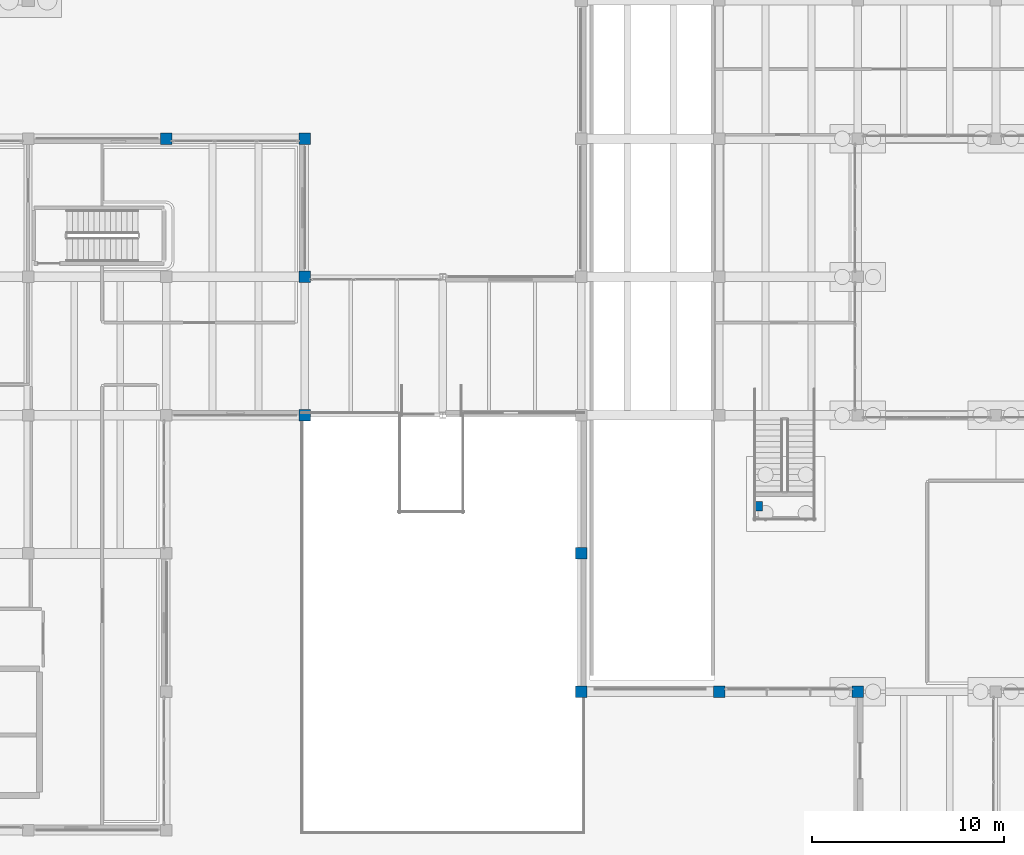
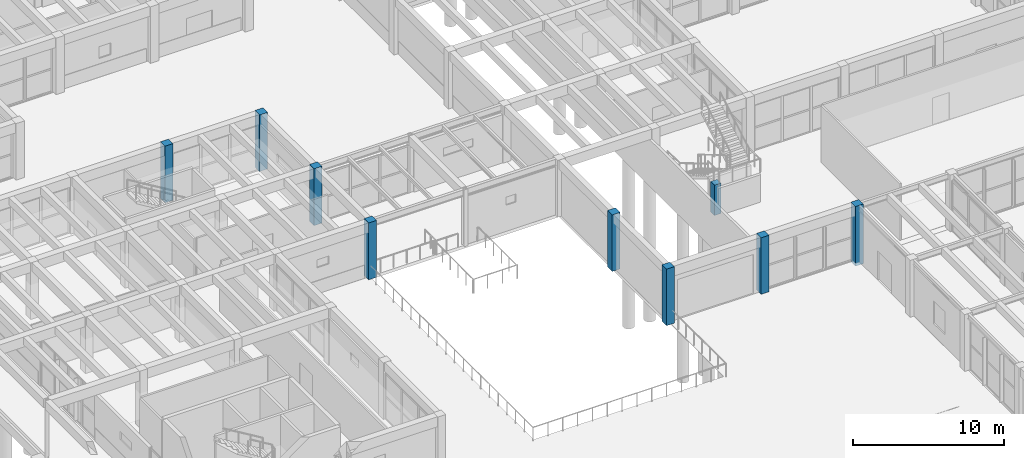
# One storey, part 9 of 155: 9 columns.
"""IFC4 building model written with IfcOpenShell, lengths in metres."""

import ifcopenshell
import ifcopenshell.guid

model = None  # the IFC model being written
_history = None  # IfcOwnerHistory: only IFC2X3 demands one
_inside = {}  # id of a spatial element -> (the spatial element, [elements in it])
_under = {}  # id of a project, library or spatial element -> (it, [spatial elements below it])
_declared = {}  # id of a project -> (the project, [libraries it declares])
_typed = {}  # id of a type object -> (the type object, [elements of that type])
_made_of = {}  # id of a material, layer set ... -> (it, [elements and type objects made of it])


def new_model(schema):
    """Start an empty IFC model of exactly this schema.

    Asked for "IFC4X3", IfcOpenShell would pick the latest addendum, in which some entities
    have other attributes; the version numbers below select the first issue.
    IFC2X3 requires an IfcOwnerHistory on every rooted entity: one is made here for all.
    """
    global model, _history
    if schema == "IFC4X3":
        model = ifcopenshell.file(schema_version=(4, 3, 0, 0))
    else:
        model = ifcopenshell.file(schema=schema)
    _inside.clear()
    _under.clear()
    _declared.clear()
    _typed.clear()
    _made_of.clear()
    _history = None
    if model.schema == "IFC2X3":
        org = make("IfcOrganization", Name="unknown")
        user = make(
            "IfcPersonAndOrganization",
            ThePerson=make("IfcPerson", FamilyName="unknown"),
            TheOrganization=org,
        )
        app = make(
            "IfcApplication",
            ApplicationDeveloper=org,
            Version="unknown",
            ApplicationFullName="unknown",
            ApplicationIdentifier="unknown",
        )
        _history = make(
            "IfcOwnerHistory",
            OwningUser=user,
            OwningApplication=app,
            ChangeAction="ADDED",
            CreationDate=0,
        )
    return model


def make(cls, **values):
    """One entity of the class cls with the attributes given. An attribute that is None is left unset."""
    return model.create_entity(
        cls, **{name: value for name, value in values.items() if value is not None}
    )


def rooted(cls, **values):
    """An entity with a GlobalId (a new one), such as an element, a storey or a relation."""
    return make(cls, GlobalId=ifcopenshell.guid.new(), OwnerHistory=_history, **values)


def si_unit(unit_type, name, prefix=None):
    """IfcSIUnit, for example si_unit("LENGTHUNIT", "METRE", prefix="MILLI")."""
    return make("IfcSIUnit", UnitType=unit_type, Prefix=prefix, Name=name)


def assignment(units):
    """IfcUnitAssignment: the units of a project."""
    return None if units is None else make("IfcUnitAssignment", Units=units)


def point(xyz):
    """IfcCartesianPoint."""
    return None if xyz is None else make("IfcCartesianPoint", Coordinates=xyz)


def direction(xyz):
    """IfcDirection."""
    return None if xyz is None else make("IfcDirection", DirectionRatios=xyz)


def frame(location, z_axis=None, x_axis=None):
    """IfcAxis2Placement3D, a coordinate frame: its origin and axes. An axis left out is left unset."""
    return make(
        "IfcAxis2Placement3D",
        Location=point(location),
        Axis=direction(z_axis),
        RefDirection=direction(x_axis),
    )


def frame_2d(location, x_axis=None):
    """IfcAxis2Placement2D, a coordinate frame in the plane: its origin and x axis."""
    return make(
        "IfcAxis2Placement2D", Location=point(location), RefDirection=direction(x_axis)
    )


def origin():
    """The frame at (0, 0, 0) with its axes left unset."""
    return frame((0.0, 0.0, 0.0))


def origin_2d():
    """The frame at (0, 0) in the plane with its x axis left unset."""
    return frame_2d((0.0, 0.0))


def place(relative_to, where):
    """IfcLocalPlacement: puts the frame where relative to a parent placement (None: the world)."""
    return make(
        "IfcLocalPlacement", PlacementRelTo=relative_to, RelativePlacement=where
    )


def context(
    kind, dimensions, precision=None, world=None, true_north=None, identifier=None
):
    """IfcGeometricRepresentationContext, for example the 3D "Model" context."""
    return make(
        "IfcGeometricRepresentationContext",
        ContextIdentifier=identifier,
        ContextType=kind,
        CoordinateSpaceDimension=dimensions,
        Precision=precision,
        WorldCoordinateSystem=world,
        TrueNorth=true_north,
    )


def subcontext(parent, identifier, kind, view, scale=None):
    """IfcGeometricRepresentationSubContext, for example "Body" below "Model"."""
    return make(
        "IfcGeometricRepresentationSubContext",
        ContextIdentifier=identifier,
        ContextType=kind,
        ParentContext=parent,
        TargetScale=scale,
        TargetView=view,
    )


def project(units=None, contexts=None):
    """IfcProject with its units and contexts."""
    return rooted(
        "IfcProject",
        Name="project",
        RepresentationContexts=contexts,
        UnitsInContext=assignment(units),
    )


def spatial(cls, under=None, at=None, **own):
    """A site, building, storey or space (cls), placed at a placement, below another one or the project."""
    s = rooted(cls, ObjectPlacement=at, **own)
    if under is not None:
        _under.setdefault(under.id(), (under, []))[1].append(s)
    return s


def profile(cls, at=None, kind="AREA", **sizes):
    """A parametric profile (cls). Its sizes go by their IFC names, for example OverallWidth=200.0."""
    return make(cls, ProfileType=kind, Position=at, **sizes)


def rectangle(**sizes):
    """IfcRectangleProfileDef."""
    return profile("IfcRectangleProfileDef", **sizes)


def extrude(swept, where, along, depth):
    """IfcExtrudedAreaSolid: the profile swept, set in the frame where, extruded along a direction by depth."""
    return make(
        "IfcExtrudedAreaSolid",
        SweptArea=swept,
        Position=where,
        ExtrudedDirection=direction(along),
        Depth=depth,
    )


def shape(context_of_items, identifier, shape_type, items):
    """IfcShapeRepresentation: the items that make up one representation, for example the "Body"."""
    return make(
        "IfcShapeRepresentation",
        ContextOfItems=context_of_items,
        RepresentationIdentifier=identifier,
        RepresentationType=shape_type,
        Items=items,
    )


def material(Name=None, Category=None):
    """IfcMaterial."""
    return make("IfcMaterial", Name=Name, Category=Category)


def material_profile(
    of_material, cross_section, Name=None, Category=None, Priority=None
):
    """IfcMaterialProfile: a cross section and its material."""
    return make(
        "IfcMaterialProfile",
        Name=Name,
        Material=of_material,
        Profile=cross_section,
        Priority=Priority,
        Category=Category,
    )


def profile_set(profiles, Name=None, composite=None):
    """IfcMaterialProfileSet."""
    return make(
        "IfcMaterialProfileSet",
        Name=Name,
        MaterialProfiles=profiles,
        CompositeProfile=composite,
    )


def made_of(thing, what):
    """Note that an element or type object is made of a material, layer set ...; save() writes the relation."""
    if what is not None:
        _made_of.setdefault(what.id(), (what, []))[1].append(thing)
    return thing


def type_object(cls, material=None, **own):
    """A type object (cls), such as IfcWallType, which elements share."""
    return made_of(rooted(cls, **own), material)


def element(
    cls,
    number,
    at=None,
    inside=None,
    cuts=None,
    type_object=None,
    material=None,
    context=None,
    identifier="Body",
    shape_type=None,
    held_by="IfcProductDefinitionShape",
    body=None,
    shapes=None,
    **own,
):
    """One element of the class cls, such as IfcWall. Its Tag is "e" and its number.

    at: its placement. inside: the storey or other place that contains it. cuts: it is an
    opening in that element (IfcRelVoidsElement). A single representation is given by context,
    identifier, shape_type and body (its items); several are given by shapes. held_by: the class
    of the entity that holds the representations. save() writes the other relations.
    """
    e = rooted(cls, Tag="e%d" % number, ObjectPlacement=at, **own)
    if body is not None:
        shapes = [shape(context, identifier, shape_type, body)]
    if shapes is not None:
        e.Representation = make(held_by, Representations=shapes)
    if inside is not None:
        _inside.setdefault(inside.id(), (inside, []))[1].append(e)
    if cuts is not None:
        rooted(
            "IfcRelVoidsElement", RelatingBuildingElement=cuts, RelatedOpeningElement=e
        )
    if type_object is not None:
        _typed.setdefault(type_object.id(), (type_object, []))[1].append(e)
    return made_of(e, material)


def aggregate(whole, parts):
    """IfcRelAggregates: a whole, such as a stair, and the parts it consists of."""
    return rooted("IfcRelAggregates", RelatingObject=whole, RelatedObjects=parts)


def save(model, path):
    """Write the relations noted so far, then the file.

    IfcRelAggregates (storeys below a building ...), IfcRelContainedInSpatialStructure (elements
    in a storey), IfcRelDefinesByType, IfcRelAssociatesMaterial and IfcRelDeclares: one each for
    every whole, place, type object, material and project.
    """
    for whole, parts in _under.values():
        aggregate(whole, parts)
    for where, things in _inside.values():
        rooted(
            "IfcRelContainedInSpatialStructure",
            RelatedElements=things,
            RelatingStructure=where,
        )
    for kind, things in _typed.values():
        rooted("IfcRelDefinesByType", RelatedObjects=things, RelatingType=kind)
    for what, things in _made_of.values():
        rooted("IfcRelAssociatesMaterial", RelatedObjects=things, RelatingMaterial=what)
    for by, libraries in _declared.values():
        rooted("IfcRelDeclares", RelatingContext=by, RelatedDefinitions=libraries)
    model.write(path)


model = new_model("IFC4")

# Units and contexts
model_context = context("Model", 3, precision=1e-05, world=origin(), true_north=direction((0.0, 1.0)))
body_context = subcontext(model_context, "Body", "Model", "MODEL_VIEW")
ifc_project = project(units=[si_unit("LENGTHUNIT", "METRE"), si_unit("AREAUNIT", "SQUARE_METRE"), si_unit("VOLUMEUNIT", "CUBIC_METRE"), si_unit("PLANEANGLEUNIT", "RADIAN"), si_unit("MASSUNIT", "GRAM", prefix="KILO")], contexts=[model_context])

# Site, building, storey
site_placement = place(None, origin())
site = spatial("IfcSite", under=ifc_project, at=site_placement, CompositionType="ELEMENT")
building_placement = place(site_placement, origin())
building = spatial("IfcBuilding", under=site, at=building_placement, Name="Bramvelor Terrace Health Centre", CompositionType="ELEMENT")
storey_placement = place(building_placement, origin())
storey = spatial("IfcBuildingStorey", under=building, at=storey_placement, Name="L01", CompositionType="ELEMENT", Elevation=0.0)

# Columns
ifc_material_1 = material(Name="Concrete C40/50", Category="concrete")
ifc_material_profile_1 = material_profile(ifc_material_1, rectangle(XDim=0.5, YDim=0.5, at=origin_2d()), Name="RC 500x500")
ifc_profile_set_1 = profile_set([ifc_material_profile_1], Name="Concrete C40/50")
column_type_1 = type_object("IfcColumnType", Name="COL-RC-500", PredefinedType="COLUMN", material=ifc_profile_set_1)
column_1_placement = place(storey_placement, frame((52.39990234375, 45.655029296875, -0.25), z_axis=(0.0, 0.0, 1.0), x_axis=(1.0, 0.0, 0.0)))
element("IfcColumn", 1, at=column_1_placement, inside=storey, type_object=column_type_1, Name="ST-11 Half-Landing Support Column", PredefinedType="COLUMN", context=body_context, shape_type="SweptSolid", body=[
    extrude(rectangle(XDim=0.5, YDim=0.5, at=origin_2d()), origin(), (0.0, 0.0, 1.0), 2.449951171875),
])
ifc_material_2 = material(Name="Concrete C40/50", Category="concrete")
ifc_material_profile_2 = material_profile(ifc_material_2, rectangle(XDim=0.60009765625, YDim=0.60009765625, at=origin_2d()), Name="RC 600x600")
ifc_profile_set_2 = profile_set([ifc_material_profile_2], Name="Concrete C40/50")
column_type_2 = type_object("IfcColumnType", Name="COL-RC-600", PredefinedType="COLUMN", material=ifc_profile_set_2)
column_2_placement = place(storey_placement, frame((21.60009765625, 64.800048828125, 0.0), z_axis=(0.0, 0.0, 1.0), x_axis=(1.0, 0.0, 0.0)))
element("IfcColumn", 2, at=column_2_placement, inside=storey, type_object=column_type_2, Name="L01 Column (21.6, 64.8)", PredefinedType="COLUMN", context=body_context, shape_type="SweptSolid", body=[
    extrude(rectangle(XDim=0.60009765625, YDim=0.60009765625, at=origin_2d()), origin(), (0.0, 0.0, 1.0), 4.56005859375),
])
for number, where, z_axis, x_axis, name in (
    (3, (28.800048828125, 50.39990234375, 0.0), (0.0, 0.0, 1.0), (1.0, 0.0, 0.0), "L01 Column (28.8, 50.4)"),
    (4, (28.800048828125, 57.60009765625, 0.0), (0.0, 0.0, 1.0), (1.0, 0.0, 0.0), "L01 Column (28.8, 57.6)"),
):
    element("IfcColumn", number, at=place(storey_placement, frame(where, z_axis=z_axis, x_axis=x_axis)), inside=storey, type_object=column_type_2, Name=name, PredefinedType="COLUMN", context=body_context, shape_type="SweptSolid", body=[
        extrude(rectangle(XDim=0.60009765625, YDim=0.60009765625, at=origin_2d()), origin(), (0.0, 0.0, 1.0), 4.580078125),
    ])
for number, where, z_axis, x_axis, name in (
    (5, (28.800048828125, 64.800048828125, 0.0), (0.0, 0.0, 1.0), (1.0, 0.0, 0.0), "L01 Column (28.8, 64.8)"),
    (6, (43.199951171875, 36.0, 0.0), (0.0, 0.0, 1.0), (1.0, 0.0, 0.0), "L01 Column (43.2, 36.0)"),
    (7, (43.199951171875, 43.199951171875, 0.0), (0.0, 0.0, 1.0), (1.0, 0.0, 0.0), "L01 Column (43.2, 43.2)"),
    (8, (50.39990234375, 36.0, 0.0), (0.0, 0.0, 1.0), (1.0, 0.0, 0.0), "L01 Column (50.4, 36.0)"),
):
    element("IfcColumn", number, at=place(storey_placement, frame(where, z_axis=z_axis, x_axis=x_axis)), inside=storey, type_object=column_type_2, Name=name, PredefinedType="COLUMN", context=body_context, shape_type="SweptSolid", body=[
        extrude(rectangle(XDim=0.60009765625, YDim=0.60009765625, at=origin_2d()), origin(), (0.0, 0.0, 1.0), 4.56005859375),
    ])
column_3_placement = place(storey_placement, frame((57.60009765625, 36.0, -0.25), z_axis=(0.0, 0.0, 1.0), x_axis=(1.0, 0.0, 0.0)))
element("IfcColumn", 9, at=column_3_placement, inside=storey, type_object=column_type_2, Name="L01 Column (57.6, 36.0)", PredefinedType="COLUMN", context=body_context, shape_type="SweptSolid", body=[
    extrude(rectangle(XDim=0.60009765625, YDim=0.60009765625, at=origin_2d()), origin(), (0.0, 0.0, 1.0), 4.81005859375),
])

save(model, "model.ifc")
